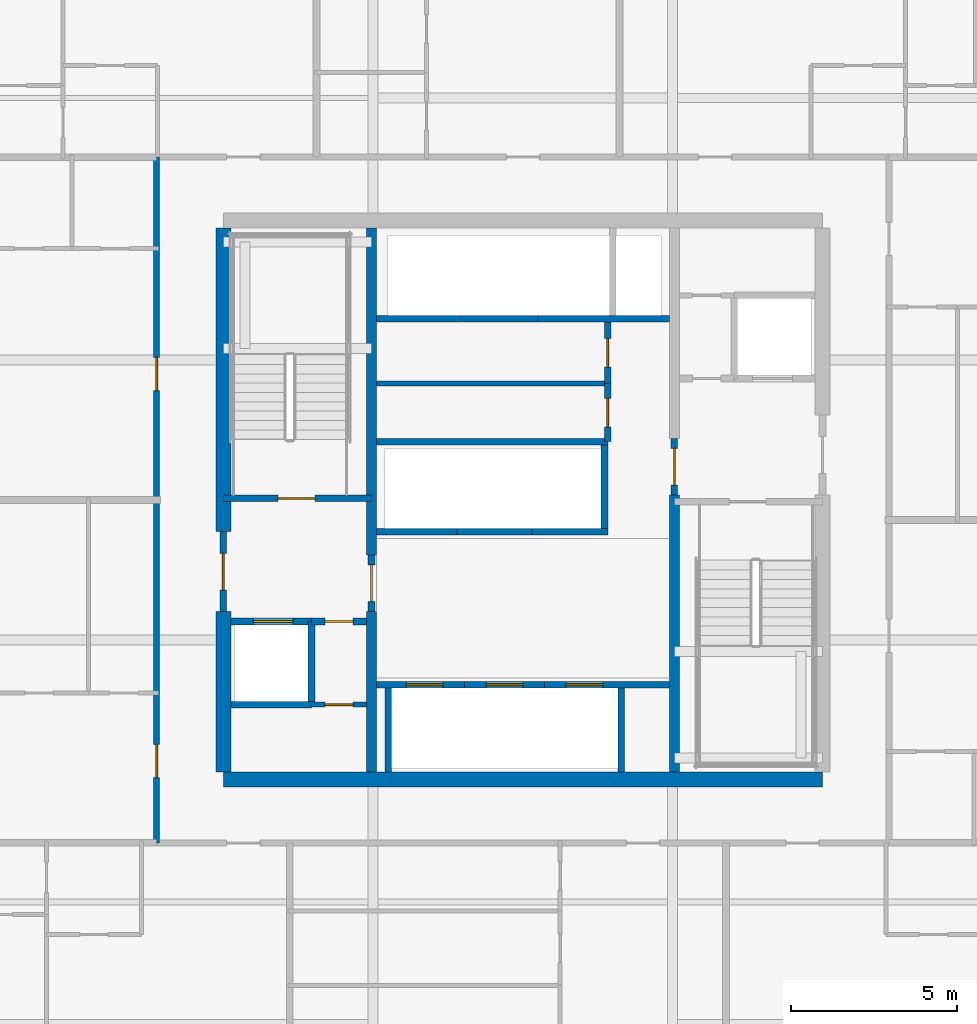
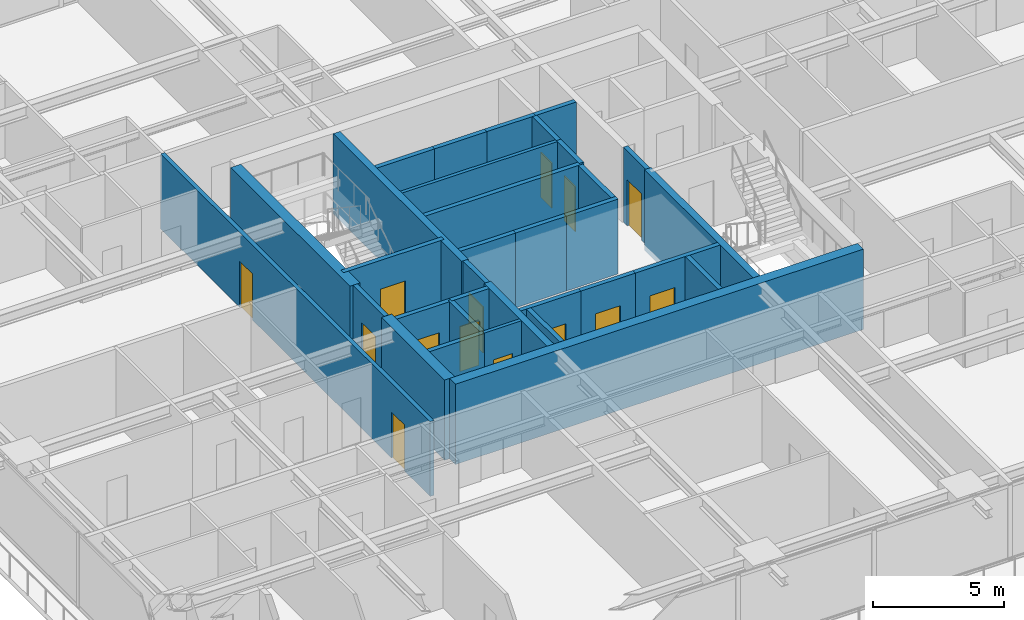
# One storey, part 28 of 38: 33 walls, 14 doors, 14 openings.
"""IFC4 building model written with IfcOpenShell, lengths in metres."""

import ifcopenshell
import ifcopenshell.guid

model = None  # the IFC model being written
_history = None  # IfcOwnerHistory: only IFC2X3 demands one
_inside = {}  # id of a spatial element -> (the spatial element, [elements in it])
_under = {}  # id of a project, library or spatial element -> (it, [spatial elements below it])
_declared = {}  # id of a project -> (the project, [libraries it declares])
_typed = {}  # id of a type object -> (the type object, [elements of that type])
_made_of = {}  # id of a material, layer set ... -> (it, [elements and type objects made of it])


def new_model(schema):
    """Start an empty IFC model of exactly this schema.

    Asked for "IFC4X3", IfcOpenShell would pick the latest addendum, in which some entities
    have other attributes; the version numbers below select the first issue.
    IFC2X3 requires an IfcOwnerHistory on every rooted entity: one is made here for all.
    """
    global model, _history
    if schema == "IFC4X3":
        model = ifcopenshell.file(schema_version=(4, 3, 0, 0))
    else:
        model = ifcopenshell.file(schema=schema)
    _inside.clear()
    _under.clear()
    _declared.clear()
    _typed.clear()
    _made_of.clear()
    _history = None
    if model.schema == "IFC2X3":
        org = make("IfcOrganization", Name="unknown")
        user = make(
            "IfcPersonAndOrganization",
            ThePerson=make("IfcPerson", FamilyName="unknown"),
            TheOrganization=org,
        )
        app = make(
            "IfcApplication",
            ApplicationDeveloper=org,
            Version="unknown",
            ApplicationFullName="unknown",
            ApplicationIdentifier="unknown",
        )
        _history = make(
            "IfcOwnerHistory",
            OwningUser=user,
            OwningApplication=app,
            ChangeAction="ADDED",
            CreationDate=0,
        )
    return model


def make(cls, **values):
    """One entity of the class cls with the attributes given. An attribute that is None is left unset."""
    return model.create_entity(
        cls, **{name: value for name, value in values.items() if value is not None}
    )


def rooted(cls, **values):
    """An entity with a GlobalId (a new one), such as an element, a storey or a relation."""
    return make(cls, GlobalId=ifcopenshell.guid.new(), OwnerHistory=_history, **values)


def si_unit(unit_type, name, prefix=None):
    """IfcSIUnit, for example si_unit("LENGTHUNIT", "METRE", prefix="MILLI")."""
    return make("IfcSIUnit", UnitType=unit_type, Prefix=prefix, Name=name)


def assignment(units):
    """IfcUnitAssignment: the units of a project."""
    return None if units is None else make("IfcUnitAssignment", Units=units)


def point(xyz):
    """IfcCartesianPoint."""
    return None if xyz is None else make("IfcCartesianPoint", Coordinates=xyz)


def direction(xyz):
    """IfcDirection."""
    return None if xyz is None else make("IfcDirection", DirectionRatios=xyz)


def frame(location, z_axis=None, x_axis=None):
    """IfcAxis2Placement3D, a coordinate frame: its origin and axes. An axis left out is left unset."""
    return make(
        "IfcAxis2Placement3D",
        Location=point(location),
        Axis=direction(z_axis),
        RefDirection=direction(x_axis),
    )


def frame_2d(location, x_axis=None):
    """IfcAxis2Placement2D, a coordinate frame in the plane: its origin and x axis."""
    return make(
        "IfcAxis2Placement2D", Location=point(location), RefDirection=direction(x_axis)
    )


def origin():
    """The frame at (0, 0, 0) with its axes left unset."""
    return frame((0.0, 0.0, 0.0))


def place(relative_to, where):
    """IfcLocalPlacement: puts the frame where relative to a parent placement (None: the world)."""
    return make(
        "IfcLocalPlacement", PlacementRelTo=relative_to, RelativePlacement=where
    )


def context(
    kind, dimensions, precision=None, world=None, true_north=None, identifier=None
):
    """IfcGeometricRepresentationContext, for example the 3D "Model" context."""
    return make(
        "IfcGeometricRepresentationContext",
        ContextIdentifier=identifier,
        ContextType=kind,
        CoordinateSpaceDimension=dimensions,
        Precision=precision,
        WorldCoordinateSystem=world,
        TrueNorth=true_north,
    )


def subcontext(parent, identifier, kind, view, scale=None):
    """IfcGeometricRepresentationSubContext, for example "Body" below "Model"."""
    return make(
        "IfcGeometricRepresentationSubContext",
        ContextIdentifier=identifier,
        ContextType=kind,
        ParentContext=parent,
        TargetScale=scale,
        TargetView=view,
    )


def project(units=None, contexts=None):
    """IfcProject with its units and contexts."""
    return rooted(
        "IfcProject",
        Name="project",
        RepresentationContexts=contexts,
        UnitsInContext=assignment(units),
    )


def spatial(cls, under=None, at=None, **own):
    """A site, building, storey or space (cls), placed at a placement, below another one or the project."""
    s = rooted(cls, ObjectPlacement=at, **own)
    if under is not None:
        _under.setdefault(under.id(), (under, []))[1].append(s)
    return s


def profile(cls, at=None, kind="AREA", **sizes):
    """A parametric profile (cls). Its sizes go by their IFC names, for example OverallWidth=200.0."""
    return make(cls, ProfileType=kind, Position=at, **sizes)


def rectangle(**sizes):
    """IfcRectangleProfileDef."""
    return profile("IfcRectangleProfileDef", **sizes)


def extrude(swept, where, along, depth):
    """IfcExtrudedAreaSolid: the profile swept, set in the frame where, extruded along a direction by depth."""
    return make(
        "IfcExtrudedAreaSolid",
        SweptArea=swept,
        Position=where,
        ExtrudedDirection=direction(along),
        Depth=depth,
    )


def shape(context_of_items, identifier, shape_type, items):
    """IfcShapeRepresentation: the items that make up one representation, for example the "Body"."""
    return make(
        "IfcShapeRepresentation",
        ContextOfItems=context_of_items,
        RepresentationIdentifier=identifier,
        RepresentationType=shape_type,
        Items=items,
    )


def source(mapping_origin, context_of_items, identifier, shape_type, items):
    """IfcRepresentationMap: a shape defined once, which mapped items show again and again."""
    return make(
        "IfcRepresentationMap",
        MappingOrigin=mapping_origin,
        MappedRepresentation=shape(context_of_items, identifier, shape_type, items),
    )


def transform(
    local_origin,
    x_axis=None,
    y_axis=None,
    z_axis=None,
    scale=None,
    scale2=None,
    scale3=None,
    uniform=True,
):
    """IfcCartesianTransformationOperator3D, or its non-uniform kind. x_axis, y_axis, z_axis: its Axis1, 2, 3."""
    if uniform:
        return make(
            "IfcCartesianTransformationOperator3D",
            Axis1=direction(x_axis),
            Axis2=direction(y_axis),
            LocalOrigin=point(local_origin),
            Scale=scale,
            Axis3=direction(z_axis),
        )
    return make(
        "IfcCartesianTransformationOperator3DnonUniform",
        Axis1=direction(x_axis),
        Axis2=direction(y_axis),
        LocalOrigin=point(local_origin),
        Scale=scale,
        Axis3=direction(z_axis),
        Scale2=scale2,
        Scale3=scale3,
    )


def mapped(mapping_source, mapping_target):
    """IfcMappedItem: shows the shape of a source again, moved by a transform."""
    return make(
        "IfcMappedItem", MappingSource=mapping_source, MappingTarget=mapping_target
    )


def material(Name=None, Category=None):
    """IfcMaterial."""
    return make("IfcMaterial", Name=Name, Category=Category)


def layer(
    of_material, thickness, ventilated=None, Name=None, Category=None, Priority=None
):
    """IfcMaterialLayer: one layer of a wall or slab, of a material (None: an air gap)."""
    return make(
        "IfcMaterialLayer",
        Material=of_material,
        LayerThickness=thickness,
        IsVentilated=ventilated,
        Name=Name,
        Category=Category,
        Priority=Priority,
    )


def layer_set(layers, Name=None):
    """IfcMaterialLayerSet."""
    return make("IfcMaterialLayerSet", MaterialLayers=layers, LayerSetName=Name)


def made_of(thing, what):
    """Note that an element or type object is made of a material, layer set ...; save() writes the relation."""
    if what is not None:
        _made_of.setdefault(what.id(), (what, []))[1].append(thing)
    return thing


def type_object(cls, material=None, **own):
    """A type object (cls), such as IfcWallType, which elements share."""
    return made_of(rooted(cls, **own), material)


def element(
    cls,
    number,
    at=None,
    inside=None,
    cuts=None,
    type_object=None,
    material=None,
    context=None,
    identifier="Body",
    shape_type=None,
    held_by="IfcProductDefinitionShape",
    body=None,
    shapes=None,
    **own,
):
    """One element of the class cls, such as IfcWall. Its Tag is "e" and its number.

    at: its placement. inside: the storey or other place that contains it. cuts: it is an
    opening in that element (IfcRelVoidsElement). A single representation is given by context,
    identifier, shape_type and body (its items); several are given by shapes. held_by: the class
    of the entity that holds the representations. save() writes the other relations.
    """
    e = rooted(cls, Tag="e%d" % number, ObjectPlacement=at, **own)
    if body is not None:
        shapes = [shape(context, identifier, shape_type, body)]
    if shapes is not None:
        e.Representation = make(held_by, Representations=shapes)
    if inside is not None:
        _inside.setdefault(inside.id(), (inside, []))[1].append(e)
    if cuts is not None:
        rooted(
            "IfcRelVoidsElement", RelatingBuildingElement=cuts, RelatedOpeningElement=e
        )
    if type_object is not None:
        _typed.setdefault(type_object.id(), (type_object, []))[1].append(e)
    return made_of(e, material)


def fill(opening, filler):
    """IfcRelFillsElement: the door or window that sits in an opening."""
    return rooted(
        "IfcRelFillsElement",
        RelatingOpeningElement=opening,
        RelatedBuildingElement=filler,
    )


def aggregate(whole, parts):
    """IfcRelAggregates: a whole, such as a stair, and the parts it consists of."""
    return rooted("IfcRelAggregates", RelatingObject=whole, RelatedObjects=parts)


def save(model, path):
    """Write the relations noted so far, then the file.

    IfcRelAggregates (storeys below a building ...), IfcRelContainedInSpatialStructure (elements
    in a storey), IfcRelDefinesByType, IfcRelAssociatesMaterial and IfcRelDeclares: one each for
    every whole, place, type object, material and project.
    """
    for whole, parts in _under.values():
        aggregate(whole, parts)
    for where, things in _inside.values():
        rooted(
            "IfcRelContainedInSpatialStructure",
            RelatedElements=things,
            RelatingStructure=where,
        )
    for kind, things in _typed.values():
        rooted("IfcRelDefinesByType", RelatedObjects=things, RelatingType=kind)
    for what, things in _made_of.values():
        rooted("IfcRelAssociatesMaterial", RelatedObjects=things, RelatingMaterial=what)
    for by, libraries in _declared.values():
        rooted("IfcRelDeclares", RelatingContext=by, RelatedDefinitions=libraries)
    model.write(path)


model = new_model("IFC4")

# Units and contexts
model_context = context("Model", 3, precision=1e-05, world=origin(), true_north=direction((0.0, 1.0)))
body_context = subcontext(model_context, "Body", "Model", "MODEL_VIEW")
ifc_project = project(units=[si_unit("LENGTHUNIT", "METRE"), si_unit("AREAUNIT", "SQUARE_METRE"), si_unit("VOLUMEUNIT", "CUBIC_METRE"), si_unit("PLANEANGLEUNIT", "RADIAN"), si_unit("MASSUNIT", "GRAM", prefix="KILO")], contexts=[model_context])

# Site, building, storey
site_placement = place(None, origin())
site = spatial("IfcSite", under=ifc_project, at=site_placement, CompositionType="ELEMENT")
building_placement = place(site_placement, origin())
building = spatial("IfcBuilding", under=site, at=building_placement, Name="Serunith Strait Residences", CompositionType="ELEMENT")
storey_placement = place(building_placement, frame((0.0, 0.0, 37.949951171875)))
storey = spatial("IfcBuildingStorey", under=building, at=storey_placement, Name="L08", CompositionType="ELEMENT", Elevation=37.949951171875)

# Wall, opening, door
ifc_material_1 = material(Name="Fire-rated masonry service closet wall", Category="masonry")
ifc_layer_1 = layer(ifc_material_1, 0.14990234375, Name="Fire-rated masonry service closet wall")
ifc_layer_set_1 = layer_set([ifc_layer_1], Name="Fire-rated masonry service closet wall")
wall_type_1 = type_object("IfcWallType", Name="IW-BOH-150", PredefinedType="PARTITIONING", material=ifc_layer_set_1)
wall_1_placement = place(storey_placement, frame((26.052001953125, 19.050048828125, 0.0), z_axis=(0.0, 0.0, 1.0), x_axis=(1.0, 0.0, 0.0)))
wall_1 = element("IfcWall", 1, at=wall_1_placement, inside=storey, type_object=wall_type_1, Name="L08 Partition Wall 012", PredefinedType="PARTITIONING", context=body_context, shape_type="SweptSolid", body=[
    extrude(rectangle(XDim=1.64794921875, YDim=0.14990234375, at=frame_2d((0.823974609375, 0.0))), origin(), (0.0, 0.0, 1.0), 3.489990234375),
])
opening_1_placement = place(wall_1_placement, frame((0.39892578125, 0.0, 0.0)))
opening_1 = element("IfcOpeningElement", 2, at=opening_1_placement, cuts=wall_1, Name="Opening FD-850", PredefinedType="OPENING", context=body_context, shape_type="SweptSolid", body=[
    extrude(rectangle(XDim=0.85009765625, YDim=2.10009765625, at=frame_2d((0.425048828125, 1.050048828125))), frame((0.0, 0.0849609375, 0.0), z_axis=(0.0, -1.0, 0.0), x_axis=(1.0, 0.0, 0.0)), (0.0, 0.0, 1.0), 0.169921875),
])
ifc_material_2 = material(Name="Powder-coated steel service closet door", Category="steel")
door_type_1 = type_object("IfcDoorType", Name="FD-BOH-850", OperationType="NOTDEFINED", PredefinedType="DOOR", material=ifc_material_2)
shared_shape_1 = source(origin(), body_context, "Body", "SweptSolid", [
    extrude(rectangle(XDim=0.85009765625, YDim=2.10009765625, at=frame_2d((0.425048828125, 1.050048828125))), frame((0.0, 0.02490234375, 0.0), z_axis=(0.0, -1.0, 0.0), x_axis=(1.0, 0.0, 0.0)), (0.0, 0.0, 1.0), 0.050048828125),
])
door_1_placement = place(opening_1_placement, origin())
door_1 = element("IfcDoor", 3, at=door_1_placement, inside=storey, type_object=door_type_1, Name="L08 Water Meter Door", OperationType="SINGLE_SWING_RIGHT", OverallHeight=2.10009765625, OverallWidth=0.85009765625, PredefinedType="DOOR", context=body_context, shape_type="MappedRepresentation", body=[
    mapped(shared_shape_1, transform((0.0, 0.0, 0.0), scale=1.0)),
])
fill(opening_1, door_1)

# Wall
wall_2_placement = place(storey_placement, frame((28.0, 28.699951171875, 0.0), z_axis=(0.0, 0.0, 1.0), x_axis=(1.0, 0.0, 0.0)))
element("IfcWall", 4, at=wall_2_placement, inside=storey, type_object=wall_type_1, Name="L08 Partition Wall 016", PredefinedType="PARTITIONING", context=body_context, shape_type="SweptSolid", body=[
    extrude(rectangle(XDim=6.949951171875, YDim=0.14990234375, at=frame_2d((3.47509765625, 0.0))), origin(), (0.0, 0.0, 1.0), 3.489990234375),
])

# Wall, openings, doors
ifc_material_3 = material(Name="Fire-rated acoustic gypsum partition")
ifc_layer_2 = layer(ifc_material_3, 0.179931640625, Name="Fire-rated acoustic gypsum partition")
ifc_layer_set_2 = layer_set([ifc_layer_2], Name="Fire-rated acoustic gypsum partition")
wall_type_2 = type_object("IfcWallType", Name="IW-CORR-180", PredefinedType="PARTITIONING", material=ifc_layer_set_2)
wall_3_placement = place(storey_placement, frame((21.39990234375, 14.89990234375, 0.0), z_axis=(0.0, 0.0, 1.0), x_axis=(0.0, 1.0, 0.0)))
wall_3 = element("IfcWall", 5, at=wall_3_placement, inside=storey, type_object=wall_type_2, Name="L08 Partition Wall 029", PredefinedType="PARTITIONING", context=body_context, shape_type="SweptSolid", body=[
    extrude(rectangle(XDim=20.60009765625, YDim=0.179931640625, at=frame_2d((10.300048828125, 0.0))), origin(), (0.0, 0.0, 1.0), 3.489990234375),
])
opening_2_placement = place(wall_3_placement, frame((1.9599609375, 0.0, 0.0)))
opening_2 = element("IfcOpeningElement", 6, at=opening_2_placement, cuts=wall_3, Name="Opening D-APT1000", PredefinedType="OPENING", context=body_context, shape_type="SweptSolid", body=[
    extrude(rectangle(XDim=1.0, YDim=2.14990234375, at=frame_2d((0.5, 1.074951171875))), frame((0.0, 0.10009765625, 0.0), z_axis=(0.0, -1.0, 0.0), x_axis=(1.0, 0.0, 0.0)), (0.0, 0.0, 1.0), 0.199951171875),
])
opening_3_placement = place(wall_3_placement, frame((13.5830078125, 0.0, 0.0)))
opening_3 = element("IfcOpeningElement", 7, at=opening_3_placement, cuts=wall_3, Name="Opening D-APT1000", PredefinedType="OPENING", context=body_context, shape_type="SweptSolid", body=[
    extrude(rectangle(XDim=1.0, YDim=2.14990234375, at=frame_2d((0.5, 1.074951171875))), frame((0.0, 0.10009765625, 0.0), z_axis=(0.0, -1.0, 0.0), x_axis=(1.0, 0.0, 0.0)), (0.0, 0.0, 1.0), 0.199951171875),
])
ifc_material_4 = material(Name="Solid timber engineered fire door", Category="wood")
door_type_2 = type_object("IfcDoorType", Name="ID-APT-1000", OperationType="NOTDEFINED", PredefinedType="DOOR", material=ifc_material_4)
shared_shape_2 = source(origin(), body_context, "Body", "SweptSolid", [
    extrude(rectangle(XDim=1.0, YDim=2.14990234375, at=frame_2d((0.5, 1.074951171875))), frame((0.0, 0.02490234375, 0.0), z_axis=(0.0, -1.0, 0.0), x_axis=(1.0, 0.0, 0.0)), (0.0, 0.0, 1.0), 0.050048828125),
])
door_2_placement = place(opening_2_placement, origin())
door_2 = element("IfcDoor", 8, at=door_2_placement, inside=storey, type_object=door_type_2, Name="L08 Unit 07 Entrance Door", OperationType="SINGLE_SWING_RIGHT", OverallHeight=2.14990234375, OverallWidth=1.0, PredefinedType="DOOR", context=body_context, shape_type="MappedRepresentation", body=[
    mapped(shared_shape_2, transform((0.0, 0.0, 0.0), scale=1.0)),
])
fill(opening_2, door_2)
door_3_placement = place(opening_3_placement, origin())
door_3 = element("IfcDoor", 9, at=door_3_placement, inside=storey, type_object=door_type_2, Name="L08 Unit 08 Entrance Door", OperationType="SINGLE_SWING_LEFT", OverallHeight=2.14990234375, OverallWidth=1.0, PredefinedType="DOOR", context=body_context, shape_type="MappedRepresentation", body=[
    mapped(shared_shape_2, transform((0.0, 0.0, 0.0), scale=1.0)),
])
fill(opening_3, door_3)

# Wall, opening, door
ifc_material_5 = material(Name="Autoclaved aerated concrete blockwork", Category="masonry")
ifc_layer_3 = layer(ifc_material_5, 0.199951171875, Name="Autoclaved aerated concrete blockwork")
ifc_layer_set_3 = layer_set([ifc_layer_3], Name="Autoclaved aerated concrete blockwork")
wall_type_3 = type_object("IfcWallType", Name="IW-SHAFT-200", PredefinedType="STANDARD", material=ifc_layer_set_3)
wall_4_placement = place(storey_placement, frame((23.39990234375, 25.25, 0.0), z_axis=(0.0, 0.0, 1.0), x_axis=(1.0, 0.0, 0.0)))
wall_4 = element("IfcWall", 10, at=wall_4_placement, inside=storey, type_object=wall_type_3, Name="L08 ST-1 South Shaft Wall", PredefinedType="STANDARD", context=body_context, shape_type="SweptSolid", body=[
    extrude(rectangle(XDim=4.4501953125, YDim=0.199951171875, at=frame_2d((2.22509765625, 0.0))), origin(), (0.0, 0.0, 1.0), 3.489990234375),
])
opening_4_placement = place(wall_4_placement, frame((1.64990234375, 0.0, 0.0)))
opening_4 = element("IfcOpeningElement", 11, at=opening_4_placement, cuts=wall_4, Name="Opening FD-1100", PredefinedType="OPENING", context=body_context, shape_type="SweptSolid", body=[
    extrude(rectangle(XDim=1.10009765625, YDim=2.14990234375, at=frame_2d((0.550048828125, 1.074951171875))), frame((0.0, 0.10986328125, 0.0), z_axis=(0.0, -1.0, 0.0), x_axis=(1.0, 0.0, 0.0)), (0.0, 0.0, 1.0), 0.219970703125),
])
ifc_material_6 = material(Name="Galvanised steel fire door leaf", Category="steel")
door_type_3 = type_object("IfcDoorType", Name="FD-STAIR-1100", OperationType="NOTDEFINED", PredefinedType="DOOR", material=ifc_material_6)
shared_shape_3 = source(origin(), body_context, "Body", "SweptSolid", [
    extrude(rectangle(XDim=1.10009765625, YDim=2.14990234375, at=frame_2d((0.550048828125, 1.074951171875))), frame((0.0, 0.02490234375, 0.0), z_axis=(0.0, -1.0, 0.0), x_axis=(1.0, 0.0, 0.0)), (0.0, 0.0, 1.0), 0.050048828125),
])
door_4_placement = place(opening_4_placement, origin())
door_4 = element("IfcDoor", 12, at=door_4_placement, inside=storey, type_object=door_type_3, Name="L08 ST-1 Escape Stair Door", OperationType="SINGLE_SWING_RIGHT", OverallHeight=2.14990234375, OverallWidth=1.10009765625, PredefinedType="DOOR", context=body_context, shape_type="MappedRepresentation", body=[
    mapped(shared_shape_3, transform((0.0, 0.0, 0.0), scale=1.0)),
])
fill(opening_4, door_4)

wall_5_placement = place(storey_placement, frame((23.625, 21.550048828125, 0.0), z_axis=(0.0, 0.0, 1.0), x_axis=(1.0, 0.0, 0.0)))
wall_5 = element("IfcWall", 13, at=wall_5_placement, inside=storey, type_object=wall_type_3, Name="L08 FL-1 North Shaft Wall", PredefinedType="STANDARD", context=body_context, shape_type="SweptSolid", body=[
    extrude(rectangle(XDim=2.425048828125, YDim=0.199951171875, at=frame_2d((1.21240234375, 0.0))), origin(), (0.0, 0.0, 1.0), 3.489990234375),
])
opening_5_placement = place(wall_5_placement, frame((0.675048828125, 0.0, 0.0)))
opening_5 = element("IfcOpeningElement", 14, at=opening_5_placement, cuts=wall_5, Name="Opening LD-FF1200", PredefinedType="OPENING", context=body_context, shape_type="SweptSolid", body=[
    extrude(rectangle(XDim=1.199951171875, YDim=2.199951171875, at=frame_2d((0.60009765625, 1.10009765625))), frame((0.0, 0.10986328125, 0.0), z_axis=(0.0, -1.0, 0.0), x_axis=(1.0, 0.0, 0.0)), (0.0, 0.0, 1.0), 0.219970703125),
])
ifc_material_7 = material(Name="Brushed stainless steel landing door", Category="steel")
door_type_4 = type_object("IfcDoorType", Name="LD-FF-1200", OperationType="DOUBLE_DOOR_SLIDING", PredefinedType="DOOR", material=ifc_material_7)
shared_shape_4 = source(origin(), body_context, "Body", "SweptSolid", [
    extrude(rectangle(XDim=1.199951171875, YDim=2.199951171875, at=frame_2d((0.60009765625, 1.10009765625))), frame((0.0, 0.02490234375, 0.0), z_axis=(0.0, -1.0, 0.0), x_axis=(1.0, 0.0, 0.0)), (0.0, 0.0, 1.0), 0.050048828125),
])
door_5_placement = place(opening_5_placement, origin())
door_5 = element("IfcDoor", 15, at=door_5_placement, inside=storey, type_object=door_type_4, Name="L08 FL-1 Landing Door", OperationType="DOUBLE_DOOR_SLIDING", OverallHeight=2.199951171875, OverallWidth=1.199951171875, PredefinedType="DOOR", context=body_context, shape_type="MappedRepresentation", body=[
    mapped(shared_shape_4, transform((0.0, 0.0, 0.0), scale=1.0)),
])
fill(opening_5, door_5)

wall_6_placement = place(storey_placement, frame((28.0, 19.64990234375, 0.0), z_axis=(0.0, 0.0, 1.0), x_axis=(1.0, 0.0, 0.0)))
wall_6 = element("IfcWall", 16, at=wall_6_placement, inside=storey, type_object=wall_type_3, Name="L08 PL-1 North Shaft Wall", PredefinedType="STANDARD", context=body_context, shape_type="SweptSolid", body=[
    extrude(rectangle(XDim=2.64990234375, YDim=0.199951171875, at=frame_2d((1.324951171875, 0.0))), origin(), (0.0, 0.0, 1.0), 3.489990234375),
])
opening_6_placement = place(wall_6_placement, frame((0.89990234375, 0.0, 0.0)))
opening_6 = element("IfcOpeningElement", 17, at=opening_6_placement, cuts=wall_6, Name="Opening LD-1100", PredefinedType="OPENING", context=body_context, shape_type="SweptSolid", body=[
    extrude(rectangle(XDim=1.10009765625, YDim=2.199951171875, at=frame_2d((0.550048828125, 1.10009765625))), frame((0.0, 0.10986328125, 0.0), z_axis=(0.0, -1.0, 0.0), x_axis=(1.0, 0.0, 0.0)), (0.0, 0.0, 1.0), 0.219970703125),
])
ifc_material_8 = material(Name="Pale-champagne stainless landing door")
door_type_5 = type_object("IfcDoorType", Name="LD-LIFT-1100", OperationType="DOUBLE_DOOR_SLIDING", PredefinedType="DOOR", material=ifc_material_8)
shared_shape_5 = source(origin(), body_context, "Body", "SweptSolid", [
    extrude(rectangle(XDim=1.10009765625, YDim=2.199951171875, at=frame_2d((0.550048828125, 1.10009765625))), frame((0.0, 0.02490234375, 0.0), z_axis=(0.0, -1.0, 0.0), x_axis=(1.0, 0.0, 0.0)), (0.0, 0.0, 1.0), 0.050048828125),
])
door_6_placement = place(opening_6_placement, origin())
door_6 = element("IfcDoor", 18, at=door_6_placement, inside=storey, type_object=door_type_5, Name="L08 PL-1 Landing Door", OperationType="DOUBLE_DOOR_SLIDING", OverallHeight=2.199951171875, OverallWidth=1.10009765625, PredefinedType="DOOR", context=body_context, shape_type="MappedRepresentation", body=[
    mapped(shared_shape_5, transform((0.0, 0.0, 0.0), scale=1.0)),
])
fill(opening_6, door_6)

# Wall
wall_7_placement = place(storey_placement, frame((28.35009765625, 17.02490234375, 0.0), z_axis=(0.0, 0.0, 1.0), x_axis=(0.0, 1.0, 0.0)))
element("IfcWall", 19, at=wall_7_placement, inside=storey, type_object=wall_type_3, Name="L08 PL-1 West Shaft Wall", PredefinedType="STANDARD", context=body_context, shape_type="SweptSolid", body=[
    extrude(rectangle(XDim=2.525146484375, YDim=0.199951171875, at=frame_2d((1.2626953125, 0.0))), origin(), (0.0, 0.0, 1.0), 3.489990234375),
])

# Wall, opening, door
wall_8_placement = place(storey_placement, frame((30.64990234375, 19.64990234375, 0.0), z_axis=(0.0, 0.0, 1.0), x_axis=(1.0, 0.0, 0.0)))
wall_8 = element("IfcWall", 20, at=wall_8_placement, inside=storey, type_object=wall_type_3, Name="L08 PL-2 North Shaft Wall", PredefinedType="STANDARD", context=body_context, shape_type="SweptSolid", body=[
    extrude(rectangle(XDim=2.400146484375, YDim=0.199951171875, at=frame_2d((1.2001953125, 0.0))), origin(), (0.0, 0.0, 1.0), 3.489990234375),
])
opening_7_placement = place(wall_8_placement, frame((0.64990234375, 0.0, 0.0)))
opening_7 = element("IfcOpeningElement", 21, at=opening_7_placement, cuts=wall_8, Name="Opening LD-1100", PredefinedType="OPENING", context=body_context, shape_type="SweptSolid", body=[
    extrude(rectangle(XDim=1.10009765625, YDim=2.199951171875, at=frame_2d((0.550048828125, 1.10009765625))), frame((0.0, 0.10986328125, 0.0), z_axis=(0.0, -1.0, 0.0), x_axis=(1.0, 0.0, 0.0)), (0.0, 0.0, 1.0), 0.219970703125),
])
door_7_placement = place(opening_7_placement, origin())
door_7 = element("IfcDoor", 22, at=door_7_placement, inside=storey, type_object=door_type_5, Name="L08 PL-2 Landing Door", OperationType="DOUBLE_DOOR_SLIDING", OverallHeight=2.199951171875, OverallWidth=1.10009765625, PredefinedType="DOOR", context=body_context, shape_type="MappedRepresentation", body=[
    mapped(shared_shape_5, transform((0.0, 0.0, 0.0), scale=1.0)),
])
fill(opening_7, door_7)

wall_9_placement = place(storey_placement, frame((33.050048828125, 19.64990234375, 0.0), z_axis=(0.0, 0.0, 1.0), x_axis=(1.0, 0.0, 0.0)))
wall_9 = element("IfcWall", 23, at=wall_9_placement, inside=storey, type_object=wall_type_3, Name="L08 PL-3 North Shaft Wall", PredefinedType="STANDARD", context=body_context, shape_type="SweptSolid", body=[
    extrude(rectangle(XDim=3.75, YDim=0.199951171875, at=frame_2d((1.875, 0.0))), origin(), (0.0, 0.0, 1.0), 3.489990234375),
])
opening_8_placement = place(wall_9_placement, frame((0.64990234375, 0.0, 0.0)))
opening_8 = element("IfcOpeningElement", 24, at=opening_8_placement, cuts=wall_9, Name="Opening LD-1100", PredefinedType="OPENING", context=body_context, shape_type="SweptSolid", body=[
    extrude(rectangle(XDim=1.10009765625, YDim=2.199951171875, at=frame_2d((0.550048828125, 1.10009765625))), frame((0.0, 0.10986328125, 0.0), z_axis=(0.0, -1.0, 0.0), x_axis=(1.0, 0.0, 0.0)), (0.0, 0.0, 1.0), 0.219970703125),
])
door_8_placement = place(opening_8_placement, origin())
door_8 = element("IfcDoor", 25, at=door_8_placement, inside=storey, type_object=door_type_5, Name="L08 PL-3 Landing Door", OperationType="DOUBLE_DOOR_SLIDING", OverallHeight=2.199951171875, OverallWidth=1.10009765625, PredefinedType="DOOR", context=body_context, shape_type="MappedRepresentation", body=[
    mapped(shared_shape_5, transform((0.0, 0.0, 0.0), scale=1.0)),
])
fill(opening_8, door_8)

# Walls
wall_10_placement = place(storey_placement, frame((35.35009765625, 17.02490234375, 0.0), z_axis=(0.0, 0.0, 1.0), x_axis=(0.0, 1.0, 0.0)))
element("IfcWall", 26, at=wall_10_placement, inside=storey, type_object=wall_type_3, Name="L08 PL-3 East Shaft Wall", PredefinedType="STANDARD", context=body_context, shape_type="SweptSolid", body=[
    extrude(rectangle(XDim=2.525146484375, YDim=0.199951171875, at=frame_2d((1.2626953125, 0.0))), origin(), (0.0, 0.0, 1.0), 3.489990234375),
])
wall_11_placement = place(storey_placement, frame((28.0, 24.25, 0.0), z_axis=(0.0, 0.0, 1.0), x_axis=(1.0, 0.0, 0.0)))
element("IfcWall", 27, at=wall_11_placement, inside=storey, type_object=wall_type_3, Name="L08 PL-4 South Shaft Wall", PredefinedType="STANDARD", context=body_context, shape_type="SweptSolid", body=[
    extrude(rectangle(XDim=2.425048828125, YDim=0.199951171875, at=frame_2d((1.21240234375, 0.0))), origin(), (0.0, 0.0, 1.0), 3.489990234375),
])
wall_12_placement = place(storey_placement, frame((30.425048828125, 24.25, 0.0), z_axis=(0.0, 0.0, 1.0), x_axis=(1.0, 0.0, 0.0)))
element("IfcWall", 28, at=wall_12_placement, inside=storey, type_object=wall_type_3, Name="L08 PL-5 South Shaft Wall", PredefinedType="STANDARD", context=body_context, shape_type="SweptSolid", body=[
    extrude(rectangle(XDim=2.25, YDim=0.199951171875, at=frame_2d((1.125, 0.0))), origin(), (0.0, 0.0, 1.0), 3.489990234375),
])
wall_13_placement = place(storey_placement, frame((32.675048828125, 24.25, 0.0), z_axis=(0.0, 0.0, 1.0), x_axis=(1.0, 0.0, 0.0)))
element("IfcWall", 29, at=wall_13_placement, inside=storey, type_object=wall_type_3, Name="L08 PL-6 South Shaft Wall", PredefinedType="STANDARD", context=body_context, shape_type="SweptSolid", body=[
    extrude(rectangle(XDim=2.27490234375, YDim=0.199951171875, at=frame_2d((1.137451171875, 0.0))), origin(), (0.0, 0.0, 1.0), 3.489990234375),
])
wall_14_placement = place(storey_placement, frame((34.85009765625, 24.35009765625, 0.0), z_axis=(0.0, 0.0, 1.0), x_axis=(0.0, 1.0, 0.0)))
element("IfcWall", 30, at=wall_14_placement, inside=storey, type_object=wall_type_3, Name="L08 PL-6 East Shaft Wall", PredefinedType="STANDARD", context=body_context, shape_type="SweptSolid", body=[
    extrude(rectangle(XDim=2.5, YDim=0.199951171875, at=frame_2d((1.25, 0.0))), origin(), (0.0, 0.0, 1.0), 3.489990234375),
])
wall_15_placement = place(storey_placement, frame((28.0, 30.64990234375, 0.0), z_axis=(0.0, 0.0, 1.0), x_axis=(1.0, 0.0, 0.0)))
element("IfcWall", 31, at=wall_15_placement, inside=storey, type_object=wall_type_3, Name="L08 PL-7 South Shaft Wall", PredefinedType="STANDARD", context=body_context, shape_type="SweptSolid", body=[
    extrude(rectangle(XDim=2.550048828125, YDim=0.199951171875, at=frame_2d((1.27490234375, 0.0))), origin(), (0.0, 0.0, 1.0), 3.489990234375),
])
wall_16_placement = place(storey_placement, frame((30.550048828125, 30.64990234375, 0.0), z_axis=(0.0, 0.0, 1.0), x_axis=(1.0, 0.0, 0.0)))
element("IfcWall", 32, at=wall_16_placement, inside=storey, type_object=wall_type_3, Name="L08 PL-8 South Shaft Wall", PredefinedType="STANDARD", context=body_context, shape_type="SweptSolid", body=[
    extrude(rectangle(XDim=2.300048828125, YDim=0.199951171875, at=frame_2d((1.14990234375, 0.0))), origin(), (0.0, 0.0, 1.0), 3.489990234375),
])
wall_17_placement = place(storey_placement, frame((32.85009765625, 30.64990234375, 0.0), z_axis=(0.0, 0.0, 1.0), x_axis=(1.0, 0.0, 0.0)))
element("IfcWall", 33, at=wall_17_placement, inside=storey, type_object=wall_type_3, Name="L08 PL-9 South Shaft Wall", PredefinedType="STANDARD", context=body_context, shape_type="SweptSolid", body=[
    extrude(rectangle(XDim=2.14990234375, YDim=0.199951171875, at=frame_2d((1.074951171875, 0.0))), origin(), (0.0, 0.0, 1.0), 3.489990234375),
])
wall_18_placement = place(storey_placement, frame((35.0, 30.64990234375, 0.0), z_axis=(0.0, 0.0, 1.0), x_axis=(1.0, 0.0, 0.0)))
element("IfcWall", 34, at=wall_18_placement, inside=storey, type_object=wall_type_3, Name="L08 SL-1 South Shaft Wall", PredefinedType="STANDARD", context=body_context, shape_type="SweptSolid", body=[
    extrude(rectangle(XDim=1.800048828125, YDim=0.199951171875, at=frame_2d((0.89990234375, 0.0))), origin(), (0.0, 0.0, 1.0), 3.489990234375),
])
wall_19_placement = place(storey_placement, frame((26.050048828125, 19.050048828125, 0.0), z_axis=(0.0, 0.0, 1.0), x_axis=(0.0, 1.0, 0.0)))
element("IfcWall", 35, at=wall_19_placement, inside=storey, type_object=wall_type_3, Name="L08 Partition Wall 001", PredefinedType="STANDARD", context=body_context, shape_type="SweptSolid", body=[
    extrude(rectangle(XDim=2.5, YDim=0.199951171875, at=frame_2d((1.25, 0.0))), origin(), (0.0, 0.0, 1.0), 3.489990234375),
])
wall_20_placement = place(storey_placement, frame((23.625, 19.050048828125, 0.0), z_axis=(0.0, 0.0, 1.0), x_axis=(1.0, 0.0, 0.0)))
element("IfcWall", 36, at=wall_20_placement, inside=storey, type_object=wall_type_3, Name="L08 Partition Wall 002", PredefinedType="STANDARD", context=body_context, shape_type="SweptSolid", body=[
    extrude(rectangle(XDim=2.425048828125, YDim=0.199951171875, at=frame_2d((1.21240234375, 0.0))), origin(), (0.0, 0.0, 1.0), 3.489990234375),
])

# Wall, opening, door
wall_21_placement = place(storey_placement, frame((26.052001953125, 21.550048828125, 0.0), z_axis=(0.0, 0.0, 1.0), x_axis=(1.0, 0.0, 0.0)))
wall_21 = element("IfcWall", 37, at=wall_21_placement, inside=storey, type_object=wall_type_3, Name="L08 Partition Wall 003", PredefinedType="STANDARD", context=body_context, shape_type="SweptSolid", body=[
    extrude(rectangle(XDim=1.64794921875, YDim=0.199951171875, at=frame_2d((0.823974609375, 0.0))), origin(), (0.0, 0.0, 1.0), 3.489990234375),
])
opening_9_placement = place(wall_21_placement, frame((0.39892578125, 0.0, 0.0)))
opening_9 = element("IfcOpeningElement", 38, at=opening_9_placement, cuts=wall_21, Name="Opening FD-850", PredefinedType="OPENING", context=body_context, shape_type="SweptSolid", body=[
    extrude(rectangle(XDim=0.85009765625, YDim=2.10009765625, at=frame_2d((0.425048828125, 1.050048828125))), frame((0.0, 0.10986328125, 0.0), z_axis=(0.0, -1.0, 0.0), x_axis=(1.0, 0.0, 0.0)), (0.0, 0.0, 1.0), 0.219970703125),
])
door_9_placement = place(opening_9_placement, origin())
door_9 = element("IfcDoor", 39, at=door_9_placement, inside=storey, type_object=door_type_1, Name="L08 South-West Core Service Door", OperationType="SINGLE_SWING_RIGHT", OverallHeight=2.10009765625, OverallWidth=0.85009765625, PredefinedType="DOOR", context=body_context, shape_type="MappedRepresentation", body=[
    mapped(shared_shape_1, transform((0.0, 0.0, 0.0), scale=1.0)),
])
fill(opening_9, door_9)

wall_22_placement = place(storey_placement, frame((23.39990234375, 21.85205078125, 0.0), z_axis=(0.0, 0.0, 1.0), x_axis=(0.0, 1.0, 0.0)))
wall_22 = element("IfcWall", 40, at=wall_22_placement, inside=storey, type_object=wall_type_3, Name="L08 Partition Wall 007", PredefinedType="STANDARD", context=body_context, shape_type="SweptSolid", body=[
    extrude(rectangle(XDim=2.39599609375, YDim=0.199951171875, at=frame_2d((1.197998046875, 0.0))), origin(), (0.0, 0.0, 1.0), 3.489990234375),
])
opening_10_placement = place(wall_22_placement, frame((0.64794921875, 0.0, 0.0)))
opening_10 = element("IfcOpeningElement", 41, at=opening_10_placement, cuts=wall_22, Name="Opening FD-FFL", PredefinedType="OPENING", context=body_context, shape_type="SweptSolid", body=[
    extrude(rectangle(XDim=1.10009765625, YDim=2.14990234375, at=frame_2d((0.550048828125, 1.074951171875))), frame((0.0, 0.10986328125, 0.0), z_axis=(0.0, -1.0, 0.0), x_axis=(1.0, 0.0, 0.0)), (0.0, 0.0, 1.0), 0.219970703125),
])
ifc_material_9 = material(Name="Glazed steel smoke-lobby fire door", Category="steel")
door_type_6 = type_object("IfcDoorType", Name="FD-FFL-1100", OperationType="NOTDEFINED", PredefinedType="DOOR", material=ifc_material_9)
door_10_placement = place(opening_10_placement, origin())
door_10 = element("IfcDoor", 42, at=door_10_placement, inside=storey, type_object=door_type_6, Name="L08 FFL-1 Corridor Fire Door", OperationType="SINGLE_SWING_RIGHT", OverallHeight=2.14990234375, OverallWidth=1.10009765625, PredefinedType="DOOR", context=body_context, shape_type="MappedRepresentation", body=[
    mapped(shared_shape_3, transform((0.0, 0.0, 0.0), scale=1.0)),
])
fill(opening_10, door_10)

wall_23_placement = place(storey_placement, frame((27.85009765625, 21.85205078125, 0.0), z_axis=(0.0, 0.0, 1.0), x_axis=(0.0, 1.0, 0.0)))
wall_23 = element("IfcWall", 43, at=wall_23_placement, inside=storey, type_object=wall_type_3, Name="L08 Partition Wall 009", PredefinedType="STANDARD", context=body_context, shape_type="SweptSolid", body=[
    extrude(rectangle(XDim=1.696044921875, YDim=0.199951171875, at=frame_2d((0.84814453125, 0.0))), origin(), (0.0, 0.0, 1.0), 3.489990234375),
])
opening_11_placement = place(wall_23_placement, frame((0.298095703125, 0.0, 0.0)))
opening_11 = element("IfcOpeningElement", 44, at=opening_11_placement, cuts=wall_23, Name="Opening FD-FFL", PredefinedType="OPENING", context=body_context, shape_type="SweptSolid", body=[
    extrude(rectangle(XDim=1.10009765625, YDim=2.14990234375, at=frame_2d((0.550048828125, 1.074951171875))), frame((0.0, 0.10986328125, 0.0), z_axis=(0.0, -1.0, 0.0), x_axis=(1.0, 0.0, 0.0)), (0.0, 0.0, 1.0), 0.219970703125),
])
door_11_placement = place(opening_11_placement, origin())
door_11 = element("IfcDoor", 45, at=door_11_placement, inside=storey, type_object=door_type_6, Name="L08 FFL-1 Lift Lobby Door", OperationType="SINGLE_SWING_RIGHT", OverallHeight=2.14990234375, OverallWidth=1.10009765625, PredefinedType="DOOR", context=body_context, shape_type="MappedRepresentation", body=[
    mapped(shared_shape_3, transform((0.0, 0.0, 0.0), scale=1.0)),
])
fill(opening_11, door_11)

wall_24_placement = place(storey_placement, frame((36.949951171875, 25.35205078125, 0.0), z_axis=(0.0, 0.0, 1.0), x_axis=(0.0, 1.0, 0.0)))
wall_24 = element("IfcWall", 46, at=wall_24_placement, inside=storey, type_object=wall_type_3, Name="L08 Partition Wall 010", PredefinedType="STANDARD", context=body_context, shape_type="SweptSolid", body=[
    extrude(rectangle(XDim=1.696044921875, YDim=0.199951171875, at=frame_2d((0.84814453125, 0.0))), origin(), (0.0, 0.0, 1.0), 3.489990234375),
])
opening_12_placement = place(wall_24_placement, frame((0.298095703125, 0.0, 0.0)))
opening_12 = element("IfcOpeningElement", 47, at=opening_12_placement, cuts=wall_24, Name="Opening FD-FFL", PredefinedType="OPENING", context=body_context, shape_type="SweptSolid", body=[
    extrude(rectangle(XDim=1.10009765625, YDim=2.14990234375, at=frame_2d((0.550048828125, 1.074951171875))), frame((0.0, 0.10986328125, 0.0), z_axis=(0.0, -1.0, 0.0), x_axis=(1.0, 0.0, 0.0)), (0.0, 0.0, 1.0), 0.219970703125),
])
door_12_placement = place(opening_12_placement, origin())
door_12 = element("IfcDoor", 48, at=door_12_placement, inside=storey, type_object=door_type_6, Name="L08 FFL-2 Lift Lobby Door", OperationType="SINGLE_SWING_LEFT", OverallHeight=2.14990234375, OverallWidth=1.10009765625, PredefinedType="DOOR", context=body_context, shape_type="MappedRepresentation", body=[
    mapped(shared_shape_3, transform((0.0, 0.0, 0.0), scale=1.0)),
])
fill(opening_12, door_12)

# Wall
wall_25_placement = place(storey_placement, frame((28.0, 26.949951171875, 0.0), z_axis=(0.0, 0.0, 1.0), x_axis=(1.0, 0.0, 0.0)))
element("IfcWall", 49, at=wall_25_placement, inside=storey, type_object=wall_type_3, Name="L08 Partition Wall 011", PredefinedType="STANDARD", context=body_context, shape_type="SweptSolid", body=[
    extrude(rectangle(XDim=6.949951171875, YDim=0.199951171875, at=frame_2d((3.47509765625, 0.0))), origin(), (0.0, 0.0, 1.0), 3.489990234375),
])

# Wall, opening, door
wall_26_placement = place(storey_placement, frame((34.949951171875, 26.949951171875, 0.0), z_axis=(0.0, 0.0, 1.0), x_axis=(0.0, 1.0, 0.0)))
wall_26 = element("IfcWall", 50, at=wall_26_placement, inside=storey, type_object=wall_type_3, Name="L08 Partition Wall 014", PredefinedType="STANDARD", context=body_context, shape_type="SweptSolid", body=[
    extrude(rectangle(XDim=1.75, YDim=0.199951171875, at=frame_2d((0.875, 0.0))), origin(), (0.0, 0.0, 1.0), 3.489990234375),
])
opening_13_placement = place(wall_26_placement, frame((0.449951171875, 0.0, 0.0)))
opening_13 = element("IfcOpeningElement", 51, at=opening_13_placement, cuts=wall_26, Name="Opening FD-850", PredefinedType="OPENING", context=body_context, shape_type="SweptSolid", body=[
    extrude(rectangle(XDim=0.85009765625, YDim=2.10009765625, at=frame_2d((0.425048828125, 1.050048828125))), frame((0.0, 0.10986328125, 0.0), z_axis=(0.0, -1.0, 0.0), x_axis=(1.0, 0.0, 0.0)), (0.0, 0.0, 1.0), 0.219970703125),
])
door_13_placement = place(opening_13_placement, origin())
door_13 = element("IfcDoor", 52, at=door_13_placement, inside=storey, type_object=door_type_1, Name="L08 Chilled Water Pump Door", OperationType="SINGLE_SWING_RIGHT", OverallHeight=2.10009765625, OverallWidth=0.85009765625, PredefinedType="DOOR", context=body_context, shape_type="MappedRepresentation", body=[
    mapped(shared_shape_1, transform((0.0, 0.0, 0.0), scale=1.0)),
])
fill(opening_13, door_13)

wall_27_placement = place(storey_placement, frame((34.949951171875, 28.701904296875, 0.0), z_axis=(0.0, 0.0, 1.0), x_axis=(0.0, 1.0, 0.0)))
wall_27 = element("IfcWall", 53, at=wall_27_placement, inside=storey, type_object=wall_type_3, Name="L08 Partition Wall 015", PredefinedType="STANDARD", context=body_context, shape_type="SweptSolid", body=[
    extrude(rectangle(XDim=1.84814453125, YDim=0.199951171875, at=frame_2d((0.924072265625, 0.0))), origin(), (0.0, 0.0, 1.0), 3.489990234375),
])
opening_14_placement = place(wall_27_placement, frame((0.4990234375, 0.0, 0.0)))
opening_14 = element("IfcOpeningElement", 54, at=opening_14_placement, cuts=wall_27, Name="Opening FD-850", PredefinedType="OPENING", context=body_context, shape_type="SweptSolid", body=[
    extrude(rectangle(XDim=0.85009765625, YDim=2.10009765625, at=frame_2d((0.425048828125, 1.050048828125))), frame((0.0, 0.10986328125, 0.0), z_axis=(0.0, -1.0, 0.0), x_axis=(1.0, 0.0, 0.0)), (0.0, 0.0, 1.0), 0.219970703125),
])
door_14_placement = place(opening_14_placement, origin())
door_14 = element("IfcDoor", 55, at=door_14_placement, inside=storey, type_object=door_type_1, Name="L08 Smoke Control Fan Door", OperationType="SINGLE_SWING_LEFT", OverallHeight=2.10009765625, OverallWidth=0.85009765625, PredefinedType="DOOR", context=body_context, shape_type="MappedRepresentation", body=[
    mapped(shared_shape_1, transform((0.0, 0.0, 0.0), scale=1.0)),
])
fill(opening_14, door_14)

# Walls
ifc_material_10 = material(Name="Concrete C80/95", Category="concrete")
ifc_layer_4 = layer(ifc_material_10, 0.300048828125, Name="Concrete C80/95")
ifc_layer_set_4 = layer_set([ifc_layer_4], Name="Concrete C80/95")
wall_type_4 = type_object("IfcWallType", Name="SW-300-C80", PredefinedType="SHEAR", material=ifc_layer_set_4)
wall_28_placement = place(storey_placement, frame((27.85009765625, 17.02490234375, -0.260009765625), z_axis=(0.0, 0.0, 1.0), x_axis=(0.0, 1.0, 0.0)))
element("IfcWall", 56, at=wall_28_placement, inside=storey, type_object=wall_type_4, Name="L08 Core Internal West Web South Pier", PredefinedType="SHEAR", context=body_context, shape_type="SweptSolid", body=[
    extrude(rectangle(XDim=4.8251953125, YDim=0.300048828125, at=frame_2d((2.41259765625, 0.0))), origin(), (0.0, 0.0, 1.0), 3.748046875),
])
wall_29_placement = place(storey_placement, frame((27.85009765625, 23.550048828125, -0.260009765625), z_axis=(0.0, 0.0, 1.0), x_axis=(0.0, 1.0, 0.0)))
element("IfcWall", 57, at=wall_29_placement, inside=storey, type_object=wall_type_4, Name="L08 Core Internal West Web North Pier", PredefinedType="SHEAR", context=body_context, shape_type="SweptSolid", body=[
    extrude(rectangle(XDim=9.824951171875, YDim=0.300048828125, at=frame_2d((4.91259765625, 0.0))), origin(), (0.0, 0.0, 1.0), 3.748046875),
])
wall_30_placement = place(storey_placement, frame((36.949951171875, 17.02490234375, -0.260009765625), z_axis=(0.0, 0.0, 1.0), x_axis=(0.0, 1.0, 0.0)))
element("IfcWall", 58, at=wall_30_placement, inside=storey, type_object=wall_type_4, Name="L08 Core Internal East Web South Pier", PredefinedType="SHEAR", context=body_context, shape_type="SweptSolid", body=[
    extrude(rectangle(XDim=8.3251953125, YDim=0.300048828125, at=frame_2d((4.16259765625, 0.0))), origin(), (0.0, 0.0, 1.0), 3.748046875),
])
ifc_layer_5 = layer(ifc_material_10, 0.449951171875, Name="Concrete C80/95")
ifc_layer_set_5 = layer_set([ifc_layer_5], Name="Concrete C80/95")
wall_type_5 = type_object("IfcWallType", Name="SW-450-C80", PredefinedType="SHEAR", material=ifc_layer_set_5)
wall_31_placement = place(storey_placement, frame((23.39990234375, 16.800048828125, -0.260009765625), z_axis=(0.0, 0.0, 1.0), x_axis=(1.0, 0.0, 0.0)))
element("IfcWall", 59, at=wall_31_placement, inside=storey, type_object=wall_type_5, Name="L08 Core South Shear Wall", PredefinedType="SHEAR", context=body_context, shape_type="SweptSolid", body=[
    extrude(rectangle(XDim=18.0, YDim=0.449951171875, at=frame_2d((9.0, 0.0))), origin(), (0.0, 0.0, 1.0), 3.748046875),
])
wall_32_placement = place(storey_placement, frame((23.39990234375, 17.02490234375, -0.260009765625), z_axis=(0.0, 0.0, 1.0), x_axis=(0.0, 1.0, 0.0)))
element("IfcWall", 60, at=wall_32_placement, inside=storey, type_object=wall_type_5, Name="L08 Core West Shear Wall South Pier", PredefinedType="SHEAR", context=body_context, shape_type="SweptSolid", body=[
    extrude(rectangle(XDim=4.8251953125, YDim=0.449951171875, at=frame_2d((2.41259765625, 0.0))), origin(), (0.0, 0.0, 1.0), 3.748046875),
])
wall_33_placement = place(storey_placement, frame((23.39990234375, 24.25, -0.260009765625), z_axis=(0.0, 0.0, 1.0), x_axis=(0.0, 1.0, 0.0)))
element("IfcWall", 61, at=wall_33_placement, inside=storey, type_object=wall_type_5, Name="L08 Core West Shear Wall North Pier", PredefinedType="SHEAR", context=body_context, shape_type="SweptSolid", body=[
    extrude(rectangle(XDim=9.125, YDim=0.449951171875, at=frame_2d((4.5625, 0.0))), origin(), (0.0, 0.0, 1.0), 3.748046875),
])

save(model, "model.ifc")
